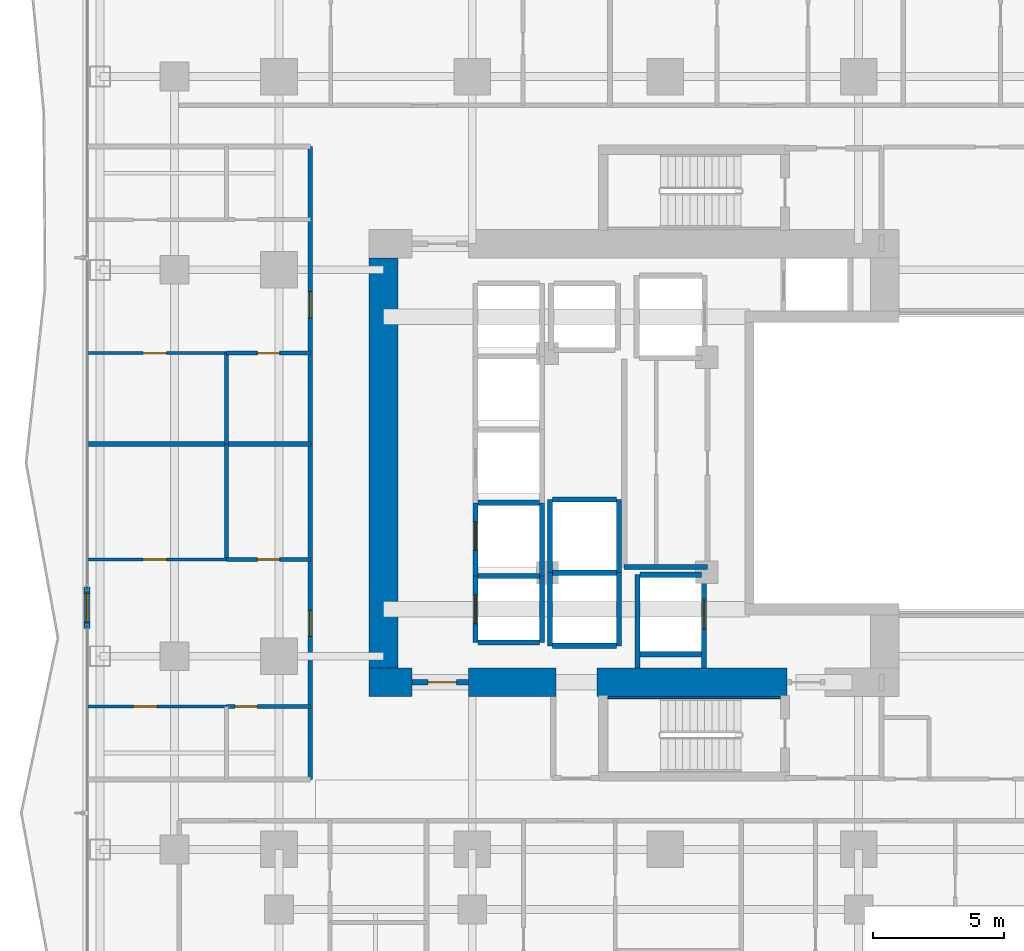
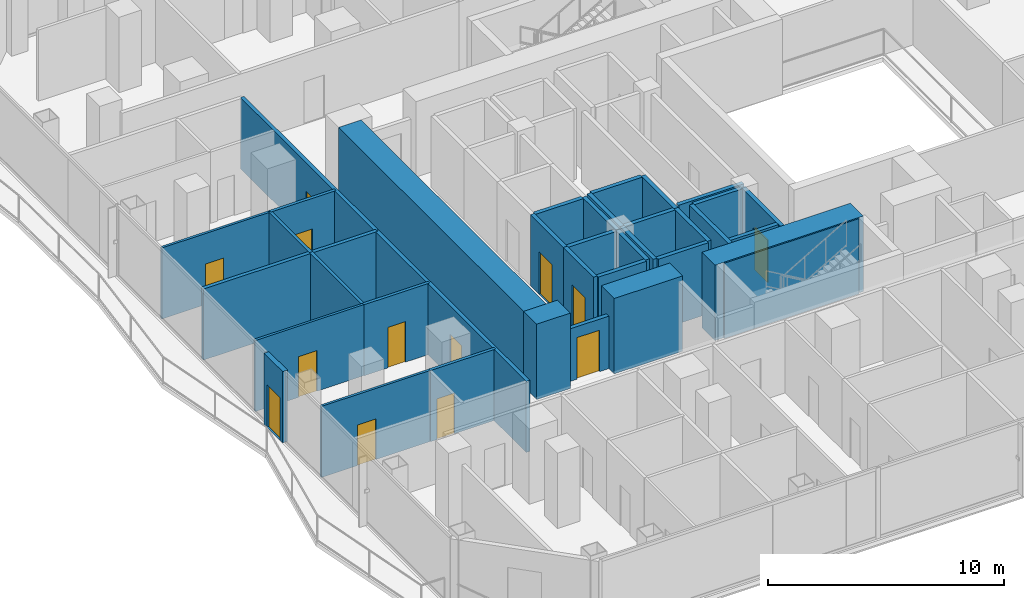
# One storey, part 21 of 30: 37 walls, 13 doors, 13 openings.
"""IFC4 building model written with IfcOpenShell, lengths in metres."""

from ifc_helpers import new_model, si_unit, direction, frame, frame_2d, origin, place, context, subcontext, project, spatial, rectangle, extrude, material, layer, layer_set, type_object, element, fill, save


model = new_model("IFC4")

# Units and contexts
model_context = context("Model", 3, precision=1e-05, world=origin(), true_north=direction((0.0, 1.0)))
body_context = subcontext(model_context, "Body", "Model", "MODEL_VIEW")
ifc_project = project(units=[si_unit("LENGTHUNIT", "METRE"), si_unit("AREAUNIT", "SQUARE_METRE"), si_unit("VOLUMEUNIT", "CUBIC_METRE"), si_unit("PLANEANGLEUNIT", "RADIAN"), si_unit("MASSUNIT", "GRAM", prefix="KILO")], contexts=[model_context])

# Site, building, storey
site_placement = place(None, origin())
site = spatial("IfcSite", under=ifc_project, at=site_placement, CompositionType="ELEMENT")
building_placement = place(site_placement, origin())
building = spatial("IfcBuilding", under=site, at=building_placement, Name="Khorvyn Point Tower", CompositionType="ELEMENT")
storey_placement = place(building_placement, frame((0.0, 0.0, 30.60009765625)))
storey = spatial("IfcBuildingStorey", under=building, at=storey_placement, Name="L08", CompositionType="ELEMENT", Elevation=30.60009765625)

# Wall, opening, door
ifc_material_1 = material(Name="Double acoustic gypsum on twin steel stud", Category="steel")
ifc_layer_1 = layer(ifc_material_1, 0.179931640625)
ifc_layer_set_1 = layer_set([ifc_layer_1], Name="Acoustic Double-Stud Apartment Demising Wall 180")
wall_type_1 = type_object("IfcWallType", Name="Acoustic Double-Stud Apartment Demising Wall 180", PredefinedType="PARTITIONING", material=ifc_layer_set_1)
wall_1_placement = place(storey_placement, frame((-13.60009765625, -12.1201171875, 0.0), z_axis=(0.0, 0.0, 1.0), x_axis=(0.0, 1.0, 0.0)))
wall_1 = element("IfcWall", 1, at=wall_1_placement, inside=storey, type_object=wall_type_1, Name="Wall", PredefinedType="PARTITIONING", context=body_context, shape_type="SweptSolid", body=[
    extrude(rectangle(XDim=12.84716796875, YDim=0.179931640625, at=frame_2d((6.423583984375, 0.0))), origin(), (0.0, 0.0, 1.0), 3.679931640625),
])
opening_1_placement = place(wall_1_placement, frame((5.480224609375, 0.0, 0.0)))
opening_1 = element("IfcOpeningElement", 2, at=opening_1_placement, cuts=wall_1, Name="Opening ID-AP60", PredefinedType="OPENING", context=body_context, shape_type="SweptSolid", body=[
    extrude(rectangle(XDim=1.0, YDim=2.199951171875, at=frame_2d((0.5, 1.10009765625))), frame((0.0, 0.099853515625, 0.0), z_axis=(0.0, -1.0, 0.0), x_axis=(1.0, 0.0, 0.0)), (0.0, 0.0, 1.0), 0.199951171875),
])
ifc_material_2 = material(Name="Engineered hardwood fire-rated leaf", Category="wood")
door_type_1 = type_object("IfcDoorType", Name="Acoustic Solid-Core Timber Apartment Entrance Door 1000x2200", OperationType="NOTDEFINED", PredefinedType="DOOR", material=ifc_material_2)
door_1_placement = place(opening_1_placement, origin())
door_1 = element("IfcDoor", 3, at=door_1_placement, inside=storey, type_object=door_type_1, Name="Door", OperationType="SINGLE_SWING_LEFT", OverallHeight=2.199951171875, OverallWidth=1.0, PredefinedType="DOOR", context=body_context, shape_type="SweptSolid", body=[
    extrude(rectangle(XDim=1.0, YDim=2.199951171875, at=frame_2d((0.5, 1.10009765625))), frame((0.0, 0.02490234375, 0.0), z_axis=(0.0, -1.0, 0.0), x_axis=(1.0, 0.0, 0.0)), (0.0, 0.0, 1.0), 0.050048828125),
])
fill(opening_1, door_1)

wall_2_placement = place(storey_placement, frame((-13.60009765625, 0.72705078125, 0.0), z_axis=(0.0, 0.0, 1.0), x_axis=(0.0, 1.0, 0.0)))
wall_2 = element("IfcWall", 4, at=wall_2_placement, inside=storey, type_object=wall_type_1, Name="Wall", PredefinedType="PARTITIONING", context=body_context, shape_type="SweptSolid", body=[
    extrude(rectangle(XDim=11.39306640625, YDim=0.179931640625, at=frame_2d((5.696533203125, 0.0))), origin(), (0.0, 0.0, 1.0), 3.679931640625),
])
opening_2_placement = place(wall_2_placement, frame((4.836669921875, 0.0, 0.0)))
opening_2 = element("IfcOpeningElement", 5, at=opening_2_placement, cuts=wall_2, Name="Opening ID-AP60", PredefinedType="OPENING", context=body_context, shape_type="SweptSolid", body=[
    extrude(rectangle(XDim=1.0, YDim=2.199951171875, at=frame_2d((0.5, 1.10009765625))), frame((0.0, 0.099853515625, 0.0), z_axis=(0.0, -1.0, 0.0), x_axis=(1.0, 0.0, 0.0)), (0.0, 0.0, 1.0), 0.199951171875),
])
door_2_placement = place(opening_2_placement, origin())
door_2 = element("IfcDoor", 6, at=door_2_placement, inside=storey, type_object=door_type_1, Name="Door", OperationType="SINGLE_SWING_RIGHT", OverallHeight=2.199951171875, OverallWidth=1.0, PredefinedType="DOOR", context=body_context, shape_type="SweptSolid", body=[
    extrude(rectangle(XDim=1.0, YDim=2.199951171875, at=frame_2d((0.5, 1.10009765625))), frame((0.0, 0.02490234375, 0.0), z_axis=(0.0, -1.0, 0.0), x_axis=(1.0, 0.0, 0.0)), (0.0, 0.0, 1.0), 0.050048828125),
])
fill(opening_2, door_2)

# Wall
wall_3_placement = place(storey_placement, frame((-22.1298828125, 0.72705078125, 0.0), z_axis=(0.0, 0.0, 1.0), x_axis=(1.0, 0.0, 0.0)))
element("IfcWall", 7, at=wall_3_placement, inside=storey, type_object=wall_type_1, Name="Wall", PredefinedType="PARTITIONING", context=body_context, shape_type="SweptSolid", body=[
    extrude(rectangle(XDim=8.52978515625, YDim=0.179931640625, at=frame_2d((4.264892578125, 0.0))), origin(), (0.0, 0.0, 1.0), 3.679931640625),
])

# Wall, opening, door
ifc_material_3 = material(Name="Pale anodised aluminium rainscreen on steel stud", Category="steel")
ifc_layer_2 = layer(ifc_material_3, 0.239990234375)
ifc_layer_set_2 = layer_set([ifc_layer_2], Name="Anodised Aluminium Insulated Corner Spandrel Wall 240")
wall_type_2 = type_object("IfcWallType", Name="Anodised Aluminium Insulated Corner Spandrel Wall 240", PredefinedType="SOLIDWALL", material=ifc_layer_set_2)
wall_4_placement = place(storey_placement, frame((-22.14990234375, -6.333984375, 0.0), z_axis=(0.0, 0.0, 1.0), x_axis=(0.0, 1.0, 0.0)))
wall_4 = element("IfcWall", 8, at=wall_4_placement, inside=storey, type_object=wall_type_2, Name="L08 West Outdoor Threshold Wall", PredefinedType="SOLIDWALL", context=body_context, shape_type="SweptSolid", body=[
    extrude(rectangle(XDim=1.580078125, YDim=0.239990234375, at=frame_2d((0.7900390625, 0.0))), origin(), (0.0, 0.0, 1.0), 3.679931640625),
])
opening_3_placement = place(wall_4_placement, frame((0.239990234375, 0.0, 0.0)))
opening_3 = element("IfcOpeningElement", 9, at=opening_3_placement, cuts=wall_4, Name="Opening BD-1122", PredefinedType="OPENING", context=body_context, shape_type="SweptSolid", body=[
    extrude(rectangle(XDim=1.10009765625, YDim=2.199951171875, at=frame_2d((0.550048828125, 1.10009765625))), frame((0.0, 0.1298828125, 0.0), z_axis=(0.0, -1.0, 0.0), x_axis=(1.0, 0.0, 0.0)), (0.0, 0.0, 1.0), 0.260009765625),
])
ifc_material_4 = material(Name="Anodised aluminium 6063-T6 and laminated Low-E glass", Category="aluminium")
door_type_2 = type_object("IfcDoorType", Name="Glazed Balcony and Terrace Threshold Door 1100x2200", OperationType="NOTDEFINED", PredefinedType="DOOR", material=ifc_material_4)
door_3_placement = place(opening_3_placement, origin())
door_3 = element("IfcDoor", 10, at=door_3_placement, inside=storey, type_object=door_type_2, Name="L08 West Glazed Balcony Outdoor Door", OperationType="SINGLE_SWING_RIGHT", OverallHeight=2.199951171875, OverallWidth=1.10009765625, PredefinedType="DOOR", context=body_context, shape_type="SweptSolid", body=[
    extrude(rectangle(XDim=1.10009765625, YDim=2.199951171875, at=frame_2d((0.550048828125, 1.10009765625))), frame((0.0, 0.02490234375, 0.0), z_axis=(0.0, -1.0, 0.0), x_axis=(1.0, 0.0, 0.0)), (0.0, 0.0, 1.0), 0.050048828125),
])
fill(opening_3, door_3)

ifc_material_5 = material(Name="Concrete C40/50", Category="concrete")
ifc_layer_3 = layer(ifc_material_5, 0.199951171875)
ifc_layer_set_3 = layer_set([ifc_layer_3], Name="Concrete C40/50 Fire-Lobby Compartment Wall 200")
wall_type_3 = type_object("IfcWallType", Name="Concrete C40/50 Fire-Lobby Compartment Wall 200", PredefinedType="SOLIDWALL", material=ifc_layer_set_3)
wall_5_placement = place(storey_placement, frame((-9.699951171875, -8.39990234375, 0.0), z_axis=(0.0, 0.0, 1.0), x_axis=(1.0, 0.0, 0.0)))
wall_5 = element("IfcWall", 11, at=wall_5_placement, inside=storey, type_object=wall_type_3, Name="Wall", PredefinedType="SOLIDWALL", context=body_context, shape_type="SweptSolid", body=[
    extrude(rectangle(XDim=2.14990234375, YDim=0.199951171875, at=frame_2d((1.074951171875, 0.0))), origin(), (0.0, 0.0, 1.0), 2.719970703125),
])
opening_4_placement = place(wall_5_placement, frame((0.597900390625, 0.0, 0.0)))
opening_4 = element("IfcOpeningElement", 12, at=opening_4_placement, cuts=wall_5, Name="Opening ID-FL90", PredefinedType="OPENING", context=body_context, shape_type="SweptSolid", body=[
    extrude(rectangle(XDim=1.10009765625, YDim=2.14990234375, at=frame_2d((0.550048828125, 1.074951171875))), frame((0.0, 0.10986328125, 0.0), z_axis=(0.0, -1.0, 0.0), x_axis=(1.0, 0.0, 0.0)), (0.0, 0.0, 1.0), 0.219970703125),
])
ifc_material_6 = material(Name="Galvanised powder-coated steel", Category="steel")
door_type_3 = type_object("IfcDoorType", Name="Fire-Rated Steel Lobby and Stair Door 1100x2150", OperationType="NOTDEFINED", PredefinedType="DOOR", material=ifc_material_6)
door_4_placement = place(opening_4_placement, origin())
door_4 = element("IfcDoor", 13, at=door_4_placement, inside=storey, type_object=door_type_3, Name="Door", OperationType="SINGLE_SWING_LEFT", OverallHeight=2.14990234375, OverallWidth=1.10009765625, PredefinedType="DOOR", context=body_context, shape_type="SweptSolid", body=[
    extrude(rectangle(XDim=1.10009765625, YDim=2.14990234375, at=frame_2d((0.550048828125, 1.074951171875))), frame((0.0, 0.02490234375, 0.0), z_axis=(0.0, -1.0, 0.0), x_axis=(1.0, 0.0, 0.0)), (0.0, 0.0, 1.0), 0.050048828125),
])
fill(opening_4, door_4)

# Walls
wall_6_placement = place(storey_placement, frame((-1.580078125, -3.97998046875, 0.0), z_axis=(0.0, 0.0, 1.0), x_axis=(1.0, 0.0, 0.0)))
element("IfcWall", 14, at=wall_6_placement, inside=storey, type_object=wall_type_3, Name="Wall", PredefinedType="SOLIDWALL", context=body_context, shape_type="SweptSolid", body=[
    extrude(rectangle(XDim=3.190185546875, YDim=0.199951171875, at=frame_2d((1.59521484375, 0.0))), origin(), (0.0, 0.0, 1.0), 3.679931640625),
])
ifc_layer_4 = layer(ifc_material_5, 0.25)
ifc_layer_set_4 = layer_set([ifc_layer_4], Name="Concrete C40/50 Stair Inner Cheek Structural Wall 250")
wall_type_4 = type_object("IfcWallType", Name="Concrete C40/50 Stair Inner Cheek Structural Wall 250", PredefinedType="SHEAR", material=ifc_layer_set_4)
wall_7_placement = place(storey_placement, frame((-2.199951171875, -8.987548828125, 0.0), z_axis=(0.0, 0.0, 1.0), x_axis=(1.0, 0.0, 0.0)))
element("IfcWall", 15, at=wall_7_placement, inside=storey, type_object=wall_type_4, Name="Wall", PredefinedType="SHEAR", context=body_context, shape_type="SweptSolid", body=[
    extrude(rectangle(XDim=6.599853515625, YDim=0.074951171875, at=frame_2d((3.2998046875, 0.0))), origin(), (0.0, 0.0, 1.0), 3.89990234375),
])

# Wall, opening, door
ifc_layer_5 = layer(ifc_material_5, 0.199951171875)
ifc_layer_set_5 = layer_set([ifc_layer_5], Name="Concrete C40/50 Structural Hoistway and Stair Shaft Wall 200")
wall_type_5 = type_object("IfcWallType", Name="Concrete C40/50 Structural Hoistway and Stair Shaft Wall 200", PredefinedType="SHEAR", material=ifc_layer_set_5)
wall_8_placement = place(storey_placement, frame((-7.27490234375, -6.875, 0.0), z_axis=(0.0, 0.0, 1.0), x_axis=(0.0, 1.0, 0.0)))
wall_8 = element("IfcWall", 16, at=wall_8_placement, inside=storey, type_object=wall_type_5, Name="Wall", PredefinedType="SHEAR", context=body_context, shape_type="SweptSolid", body=[
    extrude(rectangle(XDim=2.550048828125, YDim=0.199951171875, at=frame_2d((1.27490234375, 0.0))), origin(), (0.0, 0.0, 1.0), 3.679931640625),
])
opening_5_placement = place(wall_8_placement, frame((0.72509765625, 0.0, 0.0)))
opening_5 = element("IfcOpeningElement", 17, at=opening_5_placement, cuts=wall_8, Name="Opening LD-1122", PredefinedType="OPENING", context=body_context, shape_type="SweptSolid", body=[
    extrude(rectangle(XDim=1.10009765625, YDim=2.199951171875, at=frame_2d((0.550048828125, 1.10009765625))), frame((0.0, 0.10986328125, 0.0), z_axis=(0.0, -1.0, 0.0), x_axis=(1.0, 0.0, 0.0)), (0.0, 0.0, 1.0), 0.219970703125),
])
ifc_material_7 = material(Name="Stainless steel 1.4301", Category="steel")
door_type_4 = type_object("IfcDoorType", Name="Stainless Steel Automatic Sliding Lift Landing Door 1100x2200", OperationType="SLIDING_TO_LEFT", PredefinedType="DOOR", material=ifc_material_7)
door_5_placement = place(opening_5_placement, origin())
door_5 = element("IfcDoor", 18, at=door_5_placement, inside=storey, type_object=door_type_4, Name="L08 RL-01 Sliding Lift Landing Door", OperationType="SLIDING_TO_LEFT", OverallHeight=2.199951171875, OverallWidth=1.10009765625, PredefinedType="DOOR", context=body_context, shape_type="SweptSolid", body=[
    extrude(rectangle(XDim=1.10009765625, YDim=2.199951171875, at=frame_2d((0.550048828125, 1.10009765625))), frame((0.0, 0.02490234375, 0.0), z_axis=(0.0, -1.0, 0.0), x_axis=(1.0, 0.0, 0.0)), (0.0, 0.0, 1.0), 0.050048828125),
])
fill(opening_5, door_5)

# Walls
wall_9_placement = place(storey_placement, frame((-4.72509765625, -6.875, 0.0), z_axis=(0.0, 0.0, 1.0), x_axis=(0.0, 1.0, 0.0)))
element("IfcWall", 19, at=wall_9_placement, inside=storey, type_object=wall_type_5, Name="Wall", PredefinedType="SHEAR", context=body_context, shape_type="SweptSolid", body=[
    extrude(rectangle(XDim=2.550048828125, YDim=0.199951171875, at=frame_2d((1.27490234375, 0.0))), origin(), (0.0, 0.0, 1.0), 3.679931640625),
])
for number, where, z_axis, x_axis, name in (
    (20, (-7.175048828125, -6.875, 0.0), (0.0, 0.0, 1.0), (1.0, 0.0, 0.0), "Wall"),
    (21, (-7.175048828125, -4.324951171875, 0.0), (0.0, 0.0, 1.0), (1.0, 0.0, 0.0), "Wall"),
):
    element("IfcWall", number, at=place(storey_placement, frame(where, z_axis=z_axis, x_axis=x_axis)), inside=storey, type_object=wall_type_5, Name=name, PredefinedType="SHEAR", context=body_context, shape_type="SweptSolid", body=[
        extrude(rectangle(XDim=2.35009765625, YDim=0.199951171875, at=frame_2d((1.175048828125, 0.0))), origin(), (0.0, 0.0, 1.0), 3.679931640625),
    ])

# Wall, opening, door
wall_10_placement = place(storey_placement, frame((-7.27490234375, -4.324951171875, 0.0), z_axis=(0.0, 0.0, 1.0), x_axis=(0.0, 1.0, 0.0)))
wall_10 = element("IfcWall", 22, at=wall_10_placement, inside=storey, type_object=wall_type_5, Name="Wall", PredefinedType="SHEAR", context=body_context, shape_type="SweptSolid", body=[
    extrude(rectangle(XDim=2.800048828125, YDim=0.199951171875, at=frame_2d((1.39990234375, 0.0))), origin(), (0.0, 0.0, 1.0), 3.679931640625),
])
opening_6_placement = place(wall_10_placement, frame((0.97509765625, 0.0, 0.0)))
opening_6 = element("IfcOpeningElement", 23, at=opening_6_placement, cuts=wall_10, Name="Opening LD-1122", PredefinedType="OPENING", context=body_context, shape_type="SweptSolid", body=[
    extrude(rectangle(XDim=1.10009765625, YDim=2.199951171875, at=frame_2d((0.550048828125, 1.10009765625))), frame((0.0, 0.10986328125, 0.0), z_axis=(0.0, -1.0, 0.0), x_axis=(1.0, 0.0, 0.0)), (0.0, 0.0, 1.0), 0.219970703125),
])
door_6_placement = place(opening_6_placement, origin())
door_6 = element("IfcDoor", 24, at=door_6_placement, inside=storey, type_object=door_type_4, Name="L08 RL-02 Sliding Lift Landing Door", OperationType="SLIDING_TO_LEFT", OverallHeight=2.199951171875, OverallWidth=1.10009765625, PredefinedType="DOOR", context=body_context, shape_type="SweptSolid", body=[
    extrude(rectangle(XDim=1.10009765625, YDim=2.199951171875, at=frame_2d((0.550048828125, 1.10009765625))), frame((0.0, 0.02490234375, 0.0), z_axis=(0.0, -1.0, 0.0), x_axis=(1.0, 0.0, 0.0)), (0.0, 0.0, 1.0), 0.050048828125),
])
fill(opening_6, door_6)

# Walls
wall_11_placement = place(storey_placement, frame((-4.72509765625, -4.324951171875, 0.0), z_axis=(0.0, 0.0, 1.0), x_axis=(0.0, 1.0, 0.0)))
element("IfcWall", 25, at=wall_11_placement, inside=storey, type_object=wall_type_5, Name="Wall", PredefinedType="SHEAR", context=body_context, shape_type="SweptSolid", body=[
    extrude(rectangle(XDim=2.800048828125, YDim=0.199951171875, at=frame_2d((1.39990234375, 0.0))), origin(), (0.0, 0.0, 1.0), 3.679931640625),
])
wall_12_placement = place(storey_placement, frame((-7.175048828125, -1.52490234375, 0.0), z_axis=(0.0, 0.0, 1.0), x_axis=(1.0, 0.0, 0.0)))
element("IfcWall", 26, at=wall_12_placement, inside=storey, type_object=wall_type_5, Name="Wall", PredefinedType="SHEAR", context=body_context, shape_type="SweptSolid", body=[
    extrude(rectangle(XDim=2.35009765625, YDim=0.199951171875, at=frame_2d((1.175048828125, 0.0))), origin(), (0.0, 0.0, 1.0), 3.679931640625),
])
for number, where, z_axis, x_axis, name in (
    (27, (-4.425048828125, -7.0, 0.0), (0.0, 0.0, 1.0), (0.0, 1.0, 0.0), "Wall"),
    (28, (-1.77490234375, -7.0, 0.0), (0.0, 0.0, 1.0), (0.0, 1.0, 0.0), "Wall"),
):
    element("IfcWall", number, at=place(storey_placement, frame(where, z_axis=z_axis, x_axis=x_axis)), inside=storey, type_object=wall_type_5, Name=name, PredefinedType="SHEAR", context=body_context, shape_type="SweptSolid", body=[
        extrude(rectangle(XDim=2.800048828125, YDim=0.199951171875, at=frame_2d((1.39990234375, 0.0))), origin(), (0.0, 0.0, 1.0), 3.679931640625),
    ])
for number, where, z_axis, x_axis, name in (
    (29, (-4.324951171875, -7.0, 0.0), (0.0, 0.0, 1.0), (1.0, 0.0, 0.0), "Wall"),
    (30, (-4.324951171875, -4.199951171875, 0.0), (0.0, 0.0, 1.0), (1.0, 0.0, 0.0), "Wall"),
):
    element("IfcWall", number, at=place(storey_placement, frame(where, z_axis=z_axis, x_axis=x_axis)), inside=storey, type_object=wall_type_5, Name=name, PredefinedType="SHEAR", context=body_context, shape_type="SweptSolid", body=[
        extrude(rectangle(XDim=2.449951171875, YDim=0.199951171875, at=frame_2d((1.22509765625, 0.0))), origin(), (0.0, 0.0, 1.0), 3.679931640625),
    ])
for number, where, z_axis, x_axis, name in (
    (31, (-4.425048828125, -4.199951171875, 0.0), (0.0, 0.0, 1.0), (0.0, 1.0, 0.0), "Wall"),
    (32, (-1.77490234375, -4.199951171875, 0.0), (0.0, 0.0, 1.0), (0.0, 1.0, 0.0), "Wall"),
):
    element("IfcWall", number, at=place(storey_placement, frame(where, z_axis=z_axis, x_axis=x_axis)), inside=storey, type_object=wall_type_5, Name=name, PredefinedType="SHEAR", context=body_context, shape_type="SweptSolid", body=[
        extrude(rectangle(XDim=2.800048828125, YDim=0.199951171875, at=frame_2d((1.39990234375, 0.0))), origin(), (0.0, 0.0, 1.0), 3.679931640625),
    ])
wall_13_placement = place(storey_placement, frame((-4.324951171875, -1.39990234375, 0.0), z_axis=(0.0, 0.0, 1.0), x_axis=(1.0, 0.0, 0.0)))
element("IfcWall", 33, at=wall_13_placement, inside=storey, type_object=wall_type_5, Name="Wall", PredefinedType="SHEAR", context=body_context, shape_type="SweptSolid", body=[
    extrude(rectangle(XDim=2.449951171875, YDim=0.199951171875, at=frame_2d((1.22509765625, 0.0))), origin(), (0.0, 0.0, 1.0), 3.679931640625),
])
wall_14_placement = place(storey_placement, frame((-1.074951171875, -7.85009765625, 0.0), z_axis=(0.0, 0.0, 1.0), x_axis=(0.0, 1.0, 0.0)))
element("IfcWall", 34, at=wall_14_placement, inside=storey, type_object=wall_type_5, Name="Wall", PredefinedType="SHEAR", context=body_context, shape_type="SweptSolid", body=[
    extrude(rectangle(XDim=3.5751953125, YDim=0.199951171875, at=frame_2d((1.78759765625, 0.0))), origin(), (0.0, 0.0, 1.0), 3.679931640625),
])

# Wall, opening, door
wall_15_placement = place(storey_placement, frame((1.47509765625, -7.85009765625, 0.0), z_axis=(0.0, 0.0, 1.0), x_axis=(0.0, 1.0, 0.0)))
wall_15 = element("IfcWall", 35, at=wall_15_placement, inside=storey, type_object=wall_type_5, Name="Wall", PredefinedType="SHEAR", context=body_context, shape_type="SweptSolid", body=[
    extrude(rectangle(XDim=3.5751953125, YDim=0.199951171875, at=frame_2d((1.78759765625, 0.0))), origin(), (0.0, 0.0, 1.0), 3.679931640625),
])
opening_7_placement = place(wall_15_placement, frame((1.5, 0.0, 0.0)))
opening_7 = element("IfcOpeningElement", 36, at=opening_7_placement, cuts=wall_15, Name="Opening LD-1122", PredefinedType="OPENING", context=body_context, shape_type="SweptSolid", body=[
    extrude(rectangle(XDim=1.10009765625, YDim=2.199951171875, at=frame_2d((0.550048828125, 1.10009765625))), frame((0.0, 0.10986328125, 0.0), z_axis=(0.0, -1.0, 0.0), x_axis=(1.0, 0.0, 0.0)), (0.0, 0.0, 1.0), 0.219970703125),
])
door_7_placement = place(opening_7_placement, origin())
door_7 = element("IfcDoor", 37, at=door_7_placement, inside=storey, type_object=door_type_4, Name="L08 FF-01 Sliding Lift Landing Door", OperationType="SLIDING_TO_LEFT", OverallHeight=2.199951171875, OverallWidth=1.10009765625, PredefinedType="DOOR", context=body_context, shape_type="SweptSolid", body=[
    extrude(rectangle(XDim=1.10009765625, YDim=2.199951171875, at=frame_2d((0.550048828125, 1.10009765625))), frame((0.0, 0.02490234375, 0.0), z_axis=(0.0, -1.0, 0.0), x_axis=(1.0, 0.0, 0.0)), (0.0, 0.0, 1.0), 0.050048828125),
])
fill(opening_7, door_7)

# Walls
for number, where, z_axis, x_axis, name in (
    (38, (-0.97509765625, -7.324951171875, 0.0), (0.0, 0.0, 1.0), (1.0, 0.0, 0.0), "Wall"),
    (39, (-0.97509765625, -4.27490234375, 0.0), (0.0, 0.0, 1.0), (1.0, 0.0, 0.0), "Wall"),
):
    element("IfcWall", number, at=place(storey_placement, frame(where, z_axis=z_axis, x_axis=x_axis)), inside=storey, type_object=wall_type_5, Name=name, PredefinedType="SHEAR", context=body_context, shape_type="SweptSolid", body=[
        extrude(rectangle(XDim=2.35009765625, YDim=0.199951171875, at=frame_2d((1.175048828125, 0.0))), origin(), (0.0, 0.0, 1.0), 3.679931640625),
    ])
ifc_material_8 = material(Name="Concrete C50/60", Category="concrete")
ifc_layer_6 = layer(ifc_material_8, 1.10009765625)
ifc_layer_set_6 = layer_set([ifc_layer_6], Name="Concrete C50/60 Core Shear Wall 1100")
wall_type_6 = type_object("IfcWallType", Name="Concrete C50/60 Core Shear Wall 1100", PredefinedType="SHEAR", material=ifc_layer_set_6)
wall_16_placement = place(storey_placement, frame((-11.35009765625, -8.39990234375, 0.0), z_axis=(0.0, 0.0, 1.0), x_axis=(1.0, 0.0, 0.0)))
element("IfcWall", 40, at=wall_16_placement, inside=storey, type_object=wall_type_6, Name="Wall", PredefinedType="SHEAR", context=body_context, shape_type="SweptSolid", body=[
    extrude(rectangle(XDim=1.650146484375, YDim=1.10009765625, at=frame_2d((0.8251953125, 0.0))), origin(), (0.0, 0.0, 1.0), 3.89990234375),
])
wall_17_placement = place(storey_placement, frame((-7.550048828125, -8.39990234375, 0.0), z_axis=(0.0, 0.0, 1.0), x_axis=(1.0, 0.0, 0.0)))
element("IfcWall", 41, at=wall_17_placement, inside=storey, type_object=wall_type_6, Name="Wall", PredefinedType="SHEAR", context=body_context, shape_type="SweptSolid", body=[
    extrude(rectangle(XDim=3.35009765625, YDim=1.10009765625, at=frame_2d((1.675048828125, 0.0))), origin(), (0.0, 0.0, 1.0), 3.89990234375),
])
wall_18_placement = place(storey_placement, frame((-2.6201171875, -8.39990234375, 0.0), z_axis=(0.0, 0.0, 1.0), x_axis=(1.0, 0.0, 0.0)))
element("IfcWall", 42, at=wall_18_placement, inside=storey, type_object=wall_type_6, Name="Wall", PredefinedType="SHEAR", context=body_context, shape_type="SweptSolid", body=[
    extrude(rectangle(XDim=7.27001953125, YDim=1.10009765625, at=frame_2d((3.635009765625, 0.0))), origin(), (0.0, 0.0, 1.0), 3.89990234375),
])
wall_19_placement = place(storey_placement, frame((-10.800048828125, -7.85009765625, 0.0), z_axis=(0.0, 0.0, 1.0), x_axis=(0.0, 1.0, 0.0)))
element("IfcWall", 43, at=wall_19_placement, inside=storey, type_object=wall_type_6, Name="Wall", PredefinedType="SHEAR", context=body_context, shape_type="SweptSolid", body=[
    extrude(rectangle(XDim=15.7001953125, YDim=1.10009765625, at=frame_2d((7.85009765625, 0.0))), origin(), (0.0, 0.0, 1.0), 3.89990234375),
])

# Wall, opening, door
ifc_material_9 = material(Name="Gypsum plasterboard on steel stud", Category="steel")
ifc_layer_7 = layer(ifc_material_9, 0.1201171875)
ifc_layer_set_7 = layer_set([ifc_layer_7], Name="Gypsum Acoustic Stud Room Partition Wall 120")
wall_type_7 = type_object("IfcWallType", Name="Gypsum Acoustic Stud Room Partition Wall 120", PredefinedType="PARTITIONING", material=ifc_layer_set_7)
wall_20_placement = place(storey_placement, frame((-22.1298828125, -9.320068359375, 0.0), z_axis=(0.0, 0.0, 1.0), x_axis=(1.0, 0.0, 0.0)))
wall_20 = element("IfcWall", 44, at=wall_20_placement, inside=storey, type_object=wall_type_7, Name="Wall", PredefinedType="PARTITIONING", context=body_context, shape_type="SweptSolid", body=[
    extrude(rectangle(XDim=5.32177734375, YDim=0.1201171875, at=frame_2d((2.660888671875, 0.0))), origin(), (0.0, 0.0, 1.0), 3.679931640625),
])
opening_8_placement = place(wall_20_placement, frame((1.76513671875, 0.0, 0.0)))
opening_8 = element("IfcOpeningElement", 45, at=opening_8_placement, cuts=wall_20, Name="Opening ID-RM90", PredefinedType="OPENING", context=body_context, shape_type="SweptSolid", body=[
    extrude(rectangle(XDim=0.89990234375, YDim=2.10009765625, at=frame_2d((0.449951171875, 1.050048828125))), frame((0.0, 0.070068359375, 0.0), z_axis=(0.0, -1.0, 0.0), x_axis=(1.0, 0.0, 0.0)), (0.0, 0.0, 1.0), 0.14013671875),
])
ifc_material_10 = material(Name="Engineered oak veneer timber", Category="wood")
door_type_5 = type_object("IfcDoorType", Name="Flush Engineered Timber Room Door 900x2100", OperationType="NOTDEFINED", PredefinedType="DOOR", material=ifc_material_10)
door_8_placement = place(opening_8_placement, origin())
door_8 = element("IfcDoor", 46, at=door_8_placement, inside=storey, type_object=door_type_5, Name="Door", OperationType="SINGLE_SWING_RIGHT", OverallHeight=2.10009765625, OverallWidth=0.89990234375, PredefinedType="DOOR", context=body_context, shape_type="SweptSolid", body=[
    extrude(rectangle(XDim=0.89990234375, YDim=2.10009765625, at=frame_2d((0.449951171875, 1.050048828125))), frame((0.0, 0.02490234375, 0.0), z_axis=(0.0, -1.0, 0.0), x_axis=(1.0, 0.0, 0.0)), (0.0, 0.0, 1.0), 0.050048828125),
])
fill(opening_8, door_8)

wall_21_placement = place(storey_placement, frame((-22.1298828125, -3.698974609375, 0.0), z_axis=(0.0, 0.0, 1.0), x_axis=(1.0, 0.0, 0.0)))
wall_21 = element("IfcWall", 47, at=wall_21_placement, inside=storey, type_object=wall_type_7, Name="Wall", PredefinedType="PARTITIONING", context=body_context, shape_type="SweptSolid", body=[
    extrude(rectangle(XDim=5.32177734375, YDim=0.1201171875, at=frame_2d((2.660888671875, 0.0))), origin(), (0.0, 0.0, 1.0), 3.679931640625),
])
opening_9_placement = place(wall_21_placement, frame((2.121826171875, 0.0, 0.0)))
opening_9 = element("IfcOpeningElement", 48, at=opening_9_placement, cuts=wall_21, Name="Opening ID-RM90", PredefinedType="OPENING", context=body_context, shape_type="SweptSolid", body=[
    extrude(rectangle(XDim=0.89990234375, YDim=2.10009765625, at=frame_2d((0.449951171875, 1.050048828125))), frame((0.0, 0.070068359375, 0.0), z_axis=(0.0, -1.0, 0.0), x_axis=(1.0, 0.0, 0.0)), (0.0, 0.0, 1.0), 0.14013671875),
])
door_9_placement = place(opening_9_placement, origin())
door_9 = element("IfcDoor", 49, at=door_9_placement, inside=storey, type_object=door_type_5, Name="Door", OperationType="SINGLE_SWING_LEFT", OverallHeight=2.10009765625, OverallWidth=0.89990234375, PredefinedType="DOOR", context=body_context, shape_type="SweptSolid", body=[
    extrude(rectangle(XDim=0.89990234375, YDim=2.10009765625, at=frame_2d((0.449951171875, 1.050048828125))), frame((0.0, 0.02490234375, 0.0), z_axis=(0.0, -1.0, 0.0), x_axis=(1.0, 0.0, 0.0)), (0.0, 0.0, 1.0), 0.050048828125),
])
fill(opening_9, door_9)

wall_22_placement = place(storey_placement, frame((-22.1298828125, 4.2080078125, 0.0), z_axis=(0.0, 0.0, 1.0), x_axis=(1.0, 0.0, 0.0)))
wall_22 = element("IfcWall", 50, at=wall_22_placement, inside=storey, type_object=wall_type_7, Name="Wall", PredefinedType="PARTITIONING", context=body_context, shape_type="SweptSolid", body=[
    extrude(rectangle(XDim=5.32177734375, YDim=0.1201171875, at=frame_2d((2.660888671875, 0.0))), origin(), (0.0, 0.0, 1.0), 3.679931640625),
])
opening_10_placement = place(wall_22_placement, frame((2.121826171875, 0.0, 0.0)))
opening_10 = element("IfcOpeningElement", 51, at=opening_10_placement, cuts=wall_22, Name="Opening ID-RM90", PredefinedType="OPENING", context=body_context, shape_type="SweptSolid", body=[
    extrude(rectangle(XDim=0.89990234375, YDim=2.10009765625, at=frame_2d((0.449951171875, 1.050048828125))), frame((0.0, 0.070068359375, 0.0), z_axis=(0.0, -1.0, 0.0), x_axis=(1.0, 0.0, 0.0)), (0.0, 0.0, 1.0), 0.14013671875),
])
door_10_placement = place(opening_10_placement, origin())
door_10 = element("IfcDoor", 52, at=door_10_placement, inside=storey, type_object=door_type_5, Name="Door", OperationType="SINGLE_SWING_LEFT", OverallHeight=2.10009765625, OverallWidth=0.89990234375, PredefinedType="DOOR", context=body_context, shape_type="SweptSolid", body=[
    extrude(rectangle(XDim=0.89990234375, YDim=2.10009765625, at=frame_2d((0.449951171875, 1.050048828125))), frame((0.0, 0.02490234375, 0.0), z_axis=(0.0, -1.0, 0.0), x_axis=(1.0, 0.0, 0.0)), (0.0, 0.0, 1.0), 0.050048828125),
])
fill(opening_10, door_10)

ifc_material_11 = material(Name="Moisture-resistant gypsum and cement board", Category="gypsum")
ifc_layer_8 = layer(ifc_material_11, 0.14990234375)
ifc_layer_set_8 = layer_set([ifc_layer_8], Name="Moisture-Resistant Wet-Room Partition Wall 150")
wall_type_8 = type_object("IfcWallType", Name="Moisture-Resistant Wet-Room Partition Wall 150", PredefinedType="PARTITIONING", material=ifc_layer_set_8)
wall_23_placement = place(storey_placement, frame((-16.80810546875, -3.698974609375, 0.0), z_axis=(0.0, 0.0, 1.0), x_axis=(1.0, 0.0, 0.0)))
wall_23 = element("IfcWall", 53, at=wall_23_placement, inside=storey, type_object=wall_type_8, Name="Wall", PredefinedType="PARTITIONING", context=body_context, shape_type="SweptSolid", body=[
    extrude(rectangle(XDim=3.2080078125, YDim=0.14990234375, at=frame_2d((1.60400390625, 0.0))), origin(), (0.0, 0.0, 1.0), 3.679931640625),
])
opening_11_placement = place(wall_23_placement, frame((1.178955078125, 0.0, 0.0)))
opening_11 = element("IfcOpeningElement", 54, at=opening_11_placement, cuts=wall_23, Name="Opening ID-WC85", PredefinedType="OPENING", context=body_context, shape_type="SweptSolid", body=[
    extrude(rectangle(XDim=0.85009765625, YDim=2.10009765625, at=frame_2d((0.425048828125, 1.050048828125))), frame((0.0, 0.0849609375, 0.0), z_axis=(0.0, -1.0, 0.0), x_axis=(1.0, 0.0, 0.0)), (0.0, 0.0, 1.0), 0.169921875),
])
ifc_material_12 = material(Name="High-pressure laminate on moisture-resistant core", Category="wood")
door_type_6 = type_object("IfcDoorType", Name="Moisture-Resistant Accessible Washroom Door 850x2100", OperationType="NOTDEFINED", PredefinedType="DOOR", material=ifc_material_12)
door_11_placement = place(opening_11_placement, origin())
door_11 = element("IfcDoor", 55, at=door_11_placement, inside=storey, type_object=door_type_6, Name="Door", OperationType="SINGLE_SWING_RIGHT", OverallHeight=2.10009765625, OverallWidth=0.85009765625, PredefinedType="DOOR", context=body_context, shape_type="SweptSolid", body=[
    extrude(rectangle(XDim=0.85009765625, YDim=2.10009765625, at=frame_2d((0.425048828125, 1.050048828125))), frame((0.0, 0.02490234375, 0.0), z_axis=(0.0, -1.0, 0.0), x_axis=(1.0, 0.0, 0.0)), (0.0, 0.0, 1.0), 0.050048828125),
])
fill(opening_11, door_11)

wall_24_placement = place(storey_placement, frame((-16.80810546875, -9.320068359375, 0.0), z_axis=(0.0, 0.0, 1.0), x_axis=(1.0, 0.0, 0.0)))
wall_24 = element("IfcWall", 56, at=wall_24_placement, inside=storey, type_object=wall_type_8, Name="Wall", PredefinedType="PARTITIONING", context=body_context, shape_type="SweptSolid", body=[
    extrude(rectangle(XDim=3.2080078125, YDim=0.14990234375, at=frame_2d((1.60400390625, 0.0))), origin(), (0.0, 0.0, 1.0), 3.679931640625),
])
opening_12_placement = place(wall_24_placement, frame((0.329833984375, 0.0, 0.0)))
opening_12 = element("IfcOpeningElement", 57, at=opening_12_placement, cuts=wall_24, Name="Opening ID-WC85", PredefinedType="OPENING", context=body_context, shape_type="SweptSolid", body=[
    extrude(rectangle(XDim=0.85009765625, YDim=2.10009765625, at=frame_2d((0.425048828125, 1.050048828125))), frame((0.0, 0.0849609375, 0.0), z_axis=(0.0, -1.0, 0.0), x_axis=(1.0, 0.0, 0.0)), (0.0, 0.0, 1.0), 0.169921875),
])
door_12_placement = place(opening_12_placement, origin())
door_12 = element("IfcDoor", 58, at=door_12_placement, inside=storey, type_object=door_type_6, Name="Door", OperationType="SINGLE_SWING_LEFT", OverallHeight=2.10009765625, OverallWidth=0.85009765625, PredefinedType="DOOR", context=body_context, shape_type="SweptSolid", body=[
    extrude(rectangle(XDim=0.85009765625, YDim=2.10009765625, at=frame_2d((0.425048828125, 1.050048828125))), frame((0.0, 0.02490234375, 0.0), z_axis=(0.0, -1.0, 0.0), x_axis=(1.0, 0.0, 0.0)), (0.0, 0.0, 1.0), 0.050048828125),
])
fill(opening_12, door_12)

wall_25_placement = place(storey_placement, frame((-16.80810546875, 4.2080078125, 0.0), z_axis=(0.0, 0.0, 1.0), x_axis=(1.0, 0.0, 0.0)))
wall_25 = element("IfcWall", 59, at=wall_25_placement, inside=storey, type_object=wall_type_8, Name="Wall", PredefinedType="PARTITIONING", context=body_context, shape_type="SweptSolid", body=[
    extrude(rectangle(XDim=3.2080078125, YDim=0.14990234375, at=frame_2d((1.60400390625, 0.0))), origin(), (0.0, 0.0, 1.0), 3.679931640625),
])
opening_13_placement = place(wall_25_placement, frame((1.178955078125, 0.0, 0.0)))
opening_13 = element("IfcOpeningElement", 60, at=opening_13_placement, cuts=wall_25, Name="Opening ID-WC85", PredefinedType="OPENING", context=body_context, shape_type="SweptSolid", body=[
    extrude(rectangle(XDim=0.85009765625, YDim=2.10009765625, at=frame_2d((0.425048828125, 1.050048828125))), frame((0.0, 0.0849609375, 0.0), z_axis=(0.0, -1.0, 0.0), x_axis=(1.0, 0.0, 0.0)), (0.0, 0.0, 1.0), 0.169921875),
])
door_13_placement = place(opening_13_placement, origin())
door_13 = element("IfcDoor", 61, at=door_13_placement, inside=storey, type_object=door_type_6, Name="Door", OperationType="SINGLE_SWING_RIGHT", OverallHeight=2.10009765625, OverallWidth=0.85009765625, PredefinedType="DOOR", context=body_context, shape_type="SweptSolid", body=[
    extrude(rectangle(XDim=0.85009765625, YDim=2.10009765625, at=frame_2d((0.425048828125, 1.050048828125))), frame((0.0, 0.02490234375, 0.0), z_axis=(0.0, -1.0, 0.0), x_axis=(1.0, 0.0, 0.0)), (0.0, 0.0, 1.0), 0.050048828125),
])
fill(opening_13, door_13)

# Walls
wall_26_placement = place(storey_placement, frame((-16.80810546875, -3.698974609375, 0.0), z_axis=(0.0, 0.0, 1.0), x_axis=(0.0, 1.0, 0.0)))
element("IfcWall", 62, at=wall_26_placement, inside=storey, type_object=wall_type_8, Name="Wall", PredefinedType="PARTITIONING", context=body_context, shape_type="SweptSolid", body=[
    extrude(rectangle(XDim=4.426025390625, YDim=0.14990234375, at=frame_2d((2.212890625, 0.0))), origin(), (0.0, 0.0, 1.0), 3.679931640625),
])
wall_27_placement = place(storey_placement, frame((-16.80810546875, 0.72705078125, 0.0), z_axis=(0.0, 0.0, 1.0), x_axis=(0.0, 1.0, 0.0)))
element("IfcWall", 63, at=wall_27_placement, inside=storey, type_object=wall_type_8, Name="Wall", PredefinedType="PARTITIONING", context=body_context, shape_type="SweptSolid", body=[
    extrude(rectangle(XDim=3.48095703125, YDim=0.14990234375, at=frame_2d((1.740478515625, 0.0))), origin(), (0.0, 0.0, 1.0), 3.679931640625),
])

save(model, "model.ifc")
